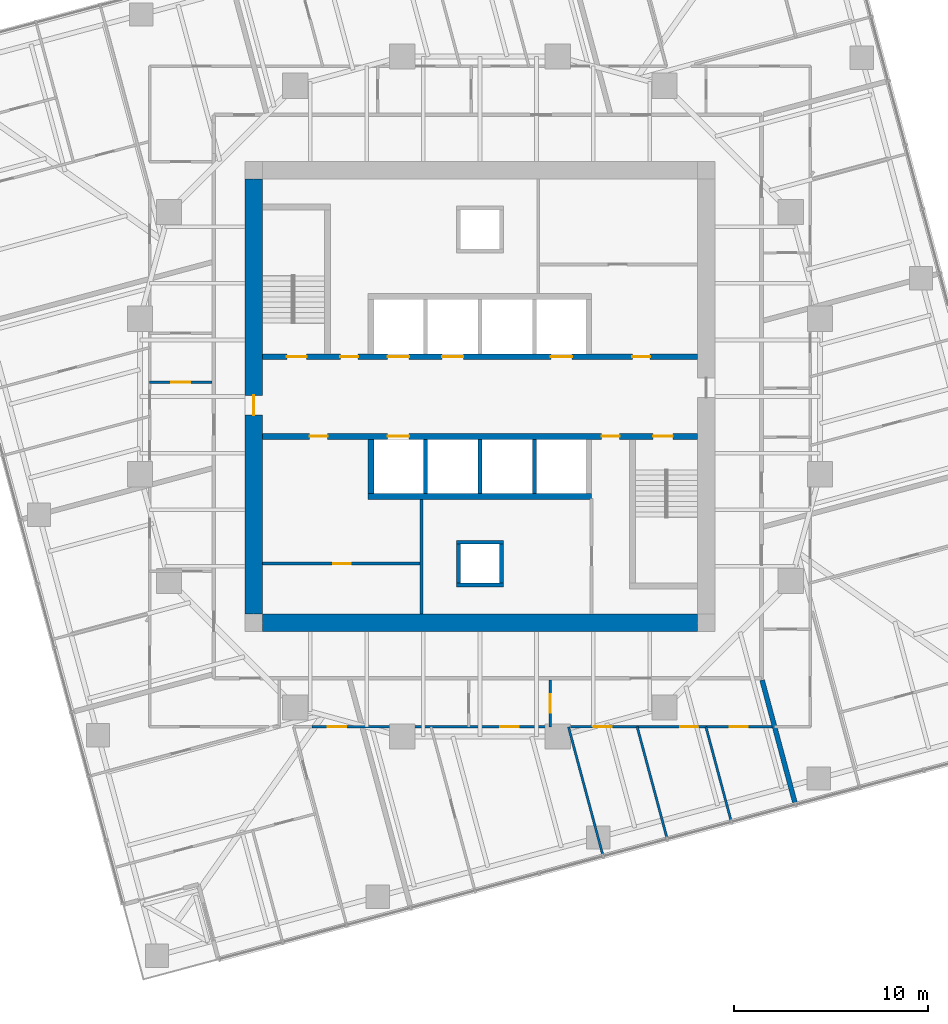
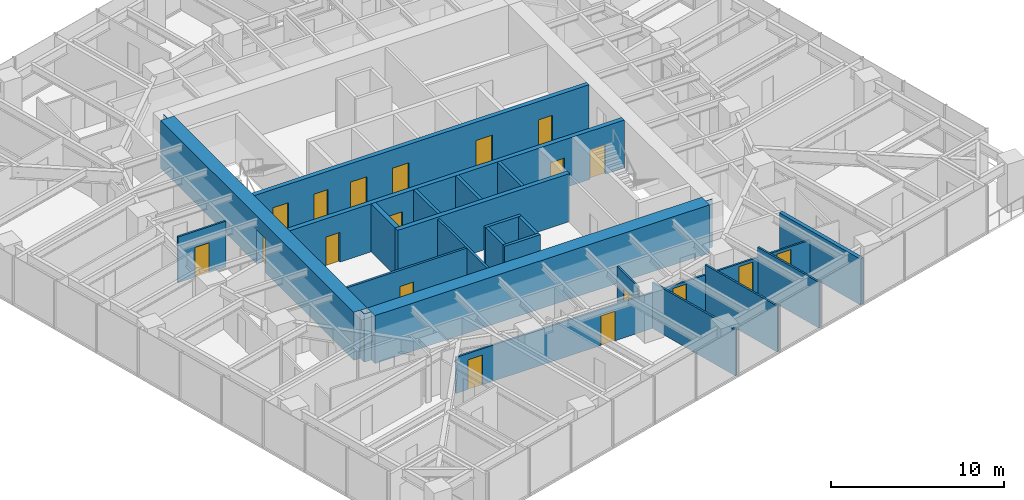
# One storey, part 9 of 13: 22 walls, 19 doors, 19 openings.
"""IFC4 building model written with IfcOpenShell, lengths in metres."""

from ifc_helpers import new_model, si_unit, direction, frame, frame_2d, origin, place, context, subcontext, project, spatial, polyline, rectangle, outline, extrude, material, layer, layer_set, type_object, element, fill, save


model = new_model("IFC4")

# Units and contexts
model_context = context("Model", 3, precision=1e-05, world=origin(), true_north=direction((0.0, 1.0)))
body_context = subcontext(model_context, "Body", "Model", "MODEL_VIEW")
ifc_project = project(units=[si_unit("LENGTHUNIT", "METRE"), si_unit("AREAUNIT", "SQUARE_METRE"), si_unit("VOLUMEUNIT", "CUBIC_METRE"), si_unit("PLANEANGLEUNIT", "RADIAN"), si_unit("MASSUNIT", "GRAM", prefix="KILO")], contexts=[model_context])

# Site, building, storey
site_placement = place(None, origin())
site = spatial("IfcSite", under=ifc_project, at=site_placement, CompositionType="ELEMENT")
building_placement = place(site_placement, origin())
building = spatial("IfcBuilding", under=site, at=building_placement, Name="Torsade Residences", CompositionType="ELEMENT")
storey_placement = place(building_placement, frame((0.0, 0.0, 115.0)))
storey = spatial("IfcBuildingStorey", under=building, at=storey_placement, Name="L31", CompositionType="ELEMENT", Elevation=115.0)

# Wall, openings, doors
ifc_material_1 = material(Name="Concrete 80 MPa", Category="concrete")
ifc_layer_1 = layer(ifc_material_1, 0.300048828125)
ifc_layer_set_1 = layer_set([ifc_layer_1], Name="Concrete 80 MPa")
wall_type_1 = type_object("IfcWallType", Name="CORE INTERNAL WALL 300", PredefinedType="SHEAR", material=ifc_layer_set_1)
wall_1_placement = place(storey_placement, frame((28.800048828125, 32.050048828125, 0.0), z_axis=(0.0, 0.0, 1.0), x_axis=(1.0, 0.0, 0.0)))
wall_1 = element("IfcWall", 1, at=wall_1_placement, inside=storey, type_object=wall_type_1, Name="Core wall LN L31", PredefinedType="SHEAR", context=body_context, shape_type="SweptSolid", body=[
    extrude(rectangle(XDim=22.39990234375, YDim=0.300048828125, at=frame_2d((11.199951171875, 0.0))), origin(), (0.0, 0.0, 1.0), 3.39990234375),
])
opening_1_placement = place(wall_1_placement, frame((19.0400390625, 0.0, 0.0)))
opening_1 = element("IfcOpeningElement", 2, at=opening_1_placement, cuts=wall_1, Name="Opening D06", PredefinedType="OPENING", context=body_context, shape_type="SweptSolid", body=[
    extrude(rectangle(XDim=0.919921875, YDim=2.10009765625, at=frame_2d((0.4599609375, 1.050048828125))), frame((0.0, 0.159912109375, 0.0), z_axis=(0.0, -1.0, 0.0), x_axis=(1.0, 0.0, 0.0)), (0.0, 0.0, 1.0), 0.320068359375),
])
opening_2_placement = place(wall_1_placement, frame((1.264892578125, 0.0, 0.0)))
opening_2 = element("IfcOpeningElement", 3, at=opening_2_placement, cuts=wall_1, Name="Opening D03", PredefinedType="OPENING", context=body_context, shape_type="SweptSolid", body=[
    extrude(rectangle(XDim=1.02001953125, YDim=2.10009765625, at=frame_2d((0.510009765625, 1.050048828125))), frame((0.0, 0.159912109375, 0.0), z_axis=(0.0, -1.0, 0.0), x_axis=(1.0, 0.0, 0.0)), (0.0, 0.0, 1.0), 0.320068359375),
])
opening_3_placement = place(wall_1_placement, frame((4.014892578125, 0.0, 0.0)))
opening_3 = element("IfcOpeningElement", 4, at=opening_3_placement, cuts=wall_1, Name="Opening D06", PredefinedType="OPENING", context=body_context, shape_type="SweptSolid", body=[
    extrude(rectangle(XDim=0.919921875, YDim=2.10009765625, at=frame_2d((0.4599609375, 1.050048828125))), frame((0.0, 0.159912109375, 0.0), z_axis=(0.0, -1.0, 0.0), x_axis=(1.0, 0.0, 0.0)), (0.0, 0.0, 1.0), 0.320068359375),
])
opening_4_placement = place(wall_1_placement, frame((6.449951171875, 0.0, 0.0)))
opening_4 = element("IfcOpeningElement", 5, at=opening_4_placement, cuts=wall_1, Name="Opening LD", PredefinedType="OPENING", context=body_context, shape_type="SweptSolid", body=[
    extrude(rectangle(XDim=1.10009765625, YDim=2.10009765625, at=frame_2d((0.550048828125, 1.050048828125))), frame((0.0, 0.159912109375, 0.0), z_axis=(0.0, -1.0, 0.0), x_axis=(1.0, 0.0, 0.0)), (0.0, 0.0, 1.0), 0.320068359375),
])
opening_5_placement = place(wall_1_placement, frame((9.25, 0.0, 0.0)))
opening_5 = element("IfcOpeningElement", 6, at=opening_5_placement, cuts=wall_1, Name="Opening LD", PredefinedType="OPENING", context=body_context, shape_type="SweptSolid", body=[
    extrude(rectangle(XDim=1.10009765625, YDim=2.10009765625, at=frame_2d((0.550048828125, 1.050048828125))), frame((0.0, 0.159912109375, 0.0), z_axis=(0.0, -1.0, 0.0), x_axis=(1.0, 0.0, 0.0)), (0.0, 0.0, 1.0), 0.320068359375),
])
opening_6_placement = place(wall_1_placement, frame((14.85009765625, 0.0, 0.0)))
opening_6 = element("IfcOpeningElement", 7, at=opening_6_placement, cuts=wall_1, Name="Opening LD", PredefinedType="OPENING", context=body_context, shape_type="SweptSolid", body=[
    extrude(rectangle(XDim=1.10009765625, YDim=2.10009765625, at=frame_2d((0.550048828125, 1.050048828125))), frame((0.0, 0.159912109375, 0.0), z_axis=(0.0, -1.0, 0.0), x_axis=(1.0, 0.0, 0.0)), (0.0, 0.0, 1.0), 0.320068359375),
])
ifc_material_2 = material(Name="Steel-framed fire door", Category="steel")
door_type_1 = type_object("IfcDoorType", Name="FIRE DOOR 1020", OperationType="NOTDEFINED", PredefinedType="DOOR", material=ifc_material_2)
door_1_placement = place(opening_2_placement, origin())
door_1 = element("IfcDoor", 8, at=door_1_placement, inside=storey, type_object=door_type_1, Name="Exit door to fire-isolated stair ST1 L31", OperationType="SINGLE_SWING_RIGHT", OverallHeight=2.10009765625, OverallWidth=1.02001953125, PredefinedType="DOOR", context=body_context, shape_type="SweptSolid", body=[
    extrude(rectangle(XDim=1.02001953125, YDim=2.10009765625, at=frame_2d((0.510009765625, 1.050048828125))), frame((0.0, 0.02490234375, 0.0), z_axis=(0.0, -1.0, 0.0), x_axis=(1.0, 0.0, 0.0)), (0.0, 0.0, 1.0), 0.050048828125),
])
fill(opening_2, door_1)
ifc_material_3 = material(Name="Steel-framed fire door", Category="steel")
door_type_2 = type_object("IfcDoorType", Name="FIRE DOOR 920", OperationType="NOTDEFINED", PredefinedType="DOOR", material=ifc_material_3)
door_2_placement = place(opening_1_placement, origin())
door_2 = element("IfcDoor", 9, at=door_2_placement, inside=storey, type_object=door_type_2, Name="Door Lift lobby to Refuse room", OperationType="SINGLE_SWING_LEFT", OverallHeight=2.10009765625, OverallWidth=0.919921875, PredefinedType="DOOR", context=body_context, shape_type="SweptSolid", body=[
    extrude(rectangle(XDim=0.919921875, YDim=2.10009765625, at=frame_2d((0.4599609375, 1.050048828125))), frame((0.0, 0.02490234375, 0.0), z_axis=(0.0, -1.0, 0.0), x_axis=(1.0, 0.0, 0.0)), (0.0, 0.0, 1.0), 0.050048828125),
])
fill(opening_1, door_2)
door_3_placement = place(opening_3_placement, origin())
door_3 = element("IfcDoor", 10, at=door_3_placement, inside=storey, type_object=door_type_2, Name="Door Lift lobby to Electrical riser room", OperationType="SINGLE_SWING_LEFT", OverallHeight=2.10009765625, OverallWidth=0.919921875, PredefinedType="DOOR", context=body_context, shape_type="SweptSolid", body=[
    extrude(rectangle(XDim=0.919921875, YDim=2.10009765625, at=frame_2d((0.4599609375, 1.050048828125))), frame((0.0, 0.02490234375, 0.0), z_axis=(0.0, -1.0, 0.0), x_axis=(1.0, 0.0, 0.0)), (0.0, 0.0, 1.0), 0.050048828125),
])
fill(opening_3, door_3)
ifc_material_4 = material(Name="Stainless steel lift landing door", Category="steel")
door_type_3 = type_object("IfcDoorType", Name="LIFT LANDING DOOR 1100", OperationType="SLIDING_TO_LEFT", PredefinedType="DOOR", material=ifc_material_4)
door_4_placement = place(opening_4_placement, origin())
door_4 = element("IfcDoor", 11, at=door_4_placement, inside=storey, type_object=door_type_3, Name="Lift LA1 landing door L31", OperationType="SLIDING_TO_LEFT", OverallHeight=2.10009765625, OverallWidth=1.10009765625, PredefinedType="DOOR", context=body_context, shape_type="SweptSolid", body=[
    extrude(rectangle(XDim=1.10009765625, YDim=2.10009765625, at=frame_2d((0.550048828125, 1.050048828125))), frame((0.0, 0.02490234375, 0.0), z_axis=(0.0, -1.0, 0.0), x_axis=(1.0, 0.0, 0.0)), (0.0, 0.0, 1.0), 0.050048828125),
])
fill(opening_4, door_4)
door_5_placement = place(opening_5_placement, origin())
door_5 = element("IfcDoor", 12, at=door_5_placement, inside=storey, type_object=door_type_3, Name="Lift LA2 landing door L31", OperationType="SLIDING_TO_LEFT", OverallHeight=2.10009765625, OverallWidth=1.10009765625, PredefinedType="DOOR", context=body_context, shape_type="SweptSolid", body=[
    extrude(rectangle(XDim=1.10009765625, YDim=2.10009765625, at=frame_2d((0.550048828125, 1.050048828125))), frame((0.0, 0.02490234375, 0.0), z_axis=(0.0, -1.0, 0.0), x_axis=(1.0, 0.0, 0.0)), (0.0, 0.0, 1.0), 0.050048828125),
])
fill(opening_5, door_5)
door_6_placement = place(opening_6_placement, origin())
door_6 = element("IfcDoor", 13, at=door_6_placement, inside=storey, type_object=door_type_3, Name="Lift FL1 landing door L31", OperationType="SLIDING_TO_LEFT", OverallHeight=2.10009765625, OverallWidth=1.10009765625, PredefinedType="DOOR", context=body_context, shape_type="SweptSolid", body=[
    extrude(rectangle(XDim=1.10009765625, YDim=2.10009765625, at=frame_2d((0.550048828125, 1.050048828125))), frame((0.0, 0.02490234375, 0.0), z_axis=(0.0, -1.0, 0.0), x_axis=(1.0, 0.0, 0.0)), (0.0, 0.0, 1.0), 0.050048828125),
])
fill(opening_6, door_6)

wall_2_placement = place(storey_placement, frame((51.199951171875, 27.949951171875, 0.0), z_axis=(0.0, 0.0, 1.0), x_axis=(-1.0, 0.0, 0.0)))
wall_2 = element("IfcWall", 14, at=wall_2_placement, inside=storey, type_object=wall_type_1, Name="Core wall LS L31", PredefinedType="SHEAR", context=body_context, shape_type="SweptSolid", body=[
    extrude(rectangle(XDim=22.39990234375, YDim=0.300048828125, at=frame_2d((11.199951171875, 0.0))), origin(), (0.0, 0.0, 1.0), 3.39990234375),
])
opening_7_placement = place(wall_2_placement, frame((19.0400390625, 0.0, 0.0)))
opening_7 = element("IfcOpeningElement", 15, at=opening_7_placement, cuts=wall_2, Name="Opening D06", PredefinedType="OPENING", context=body_context, shape_type="SweptSolid", body=[
    extrude(rectangle(XDim=0.919921875, YDim=2.10009765625, at=frame_2d((0.4599609375, 1.050048828125))), frame((0.0, 0.159912109375, 0.0), z_axis=(0.0, -1.0, 0.0), x_axis=(1.0, 0.0, 0.0)), (0.0, 0.0, 1.0), 0.320068359375),
])
opening_8_placement = place(wall_2_placement, frame((1.264892578125, 0.0, 0.0)))
opening_8 = element("IfcOpeningElement", 16, at=opening_8_placement, cuts=wall_2, Name="Opening D03", PredefinedType="OPENING", context=body_context, shape_type="SweptSolid", body=[
    extrude(rectangle(XDim=1.02001953125, YDim=2.10009765625, at=frame_2d((0.510009765625, 1.050048828125))), frame((0.0, 0.159912109375, 0.0), z_axis=(0.0, -1.0, 0.0), x_axis=(1.0, 0.0, 0.0)), (0.0, 0.0, 1.0), 0.320068359375),
])
opening_9_placement = place(wall_2_placement, frame((4.014892578125, 0.0, 0.0)))
opening_9 = element("IfcOpeningElement", 17, at=opening_9_placement, cuts=wall_2, Name="Opening D06", PredefinedType="OPENING", context=body_context, shape_type="SweptSolid", body=[
    extrude(rectangle(XDim=0.919921875, YDim=2.10009765625, at=frame_2d((0.4599609375, 1.050048828125))), frame((0.0, 0.159912109375, 0.0), z_axis=(0.0, -1.0, 0.0), x_axis=(1.0, 0.0, 0.0)), (0.0, 0.0, 1.0), 0.320068359375),
])
opening_10_placement = place(wall_2_placement, frame((14.85009765625, 0.0, 0.0)))
opening_10 = element("IfcOpeningElement", 18, at=opening_10_placement, cuts=wall_2, Name="Opening LD", PredefinedType="OPENING", context=body_context, shape_type="SweptSolid", body=[
    extrude(rectangle(XDim=1.10009765625, YDim=2.10009765625, at=frame_2d((0.550048828125, 1.050048828125))), frame((0.0, 0.159912109375, 0.0), z_axis=(0.0, -1.0, 0.0), x_axis=(1.0, 0.0, 0.0)), (0.0, 0.0, 1.0), 0.320068359375),
])
door_7_placement = place(opening_8_placement, origin())
door_7 = element("IfcDoor", 19, at=door_7_placement, inside=storey, type_object=door_type_1, Name="Exit door to fire-isolated stair ST2 L31", OperationType="SINGLE_SWING_RIGHT", OverallHeight=2.10009765625, OverallWidth=1.02001953125, PredefinedType="DOOR", context=body_context, shape_type="SweptSolid", body=[
    extrude(rectangle(XDim=1.02001953125, YDim=2.10009765625, at=frame_2d((0.510009765625, 1.050048828125))), frame((0.0, 0.02490234375, 0.0), z_axis=(0.0, -1.0, 0.0), x_axis=(1.0, 0.0, 0.0)), (0.0, 0.0, 1.0), 0.050048828125),
])
fill(opening_8, door_7)
door_8_placement = place(opening_7_placement, origin())
door_8 = element("IfcDoor", 20, at=door_8_placement, inside=storey, type_object=door_type_2, Name="Door Lift lobby to Cleaner store", OperationType="SINGLE_SWING_LEFT", OverallHeight=2.10009765625, OverallWidth=0.919921875, PredefinedType="DOOR", context=body_context, shape_type="SweptSolid", body=[
    extrude(rectangle(XDim=0.919921875, YDim=2.10009765625, at=frame_2d((0.4599609375, 1.050048828125))), frame((0.0, 0.02490234375, 0.0), z_axis=(0.0, -1.0, 0.0), x_axis=(1.0, 0.0, 0.0)), (0.0, 0.0, 1.0), 0.050048828125),
])
fill(opening_7, door_8)
door_9_placement = place(opening_9_placement, origin())
door_9 = element("IfcDoor", 21, at=door_9_placement, inside=storey, type_object=door_type_2, Name="Door Lift lobby to Security and data store", OperationType="SINGLE_SWING_RIGHT", OverallHeight=2.10009765625, OverallWidth=0.919921875, PredefinedType="DOOR", context=body_context, shape_type="SweptSolid", body=[
    extrude(rectangle(XDim=0.919921875, YDim=2.10009765625, at=frame_2d((0.4599609375, 1.050048828125))), frame((0.0, 0.02490234375, 0.0), z_axis=(0.0, -1.0, 0.0), x_axis=(1.0, 0.0, 0.0)), (0.0, 0.0, 1.0), 0.050048828125),
])
fill(opening_9, door_9)
door_10_placement = place(opening_10_placement, origin())
door_10 = element("IfcDoor", 22, at=door_10_placement, inside=storey, type_object=door_type_3, Name="Lift FL2 landing door L31", OperationType="SLIDING_TO_LEFT", OverallHeight=2.10009765625, OverallWidth=1.10009765625, PredefinedType="DOOR", context=body_context, shape_type="SweptSolid", body=[
    extrude(rectangle(XDim=1.10009765625, YDim=2.10009765625, at=frame_2d((0.550048828125, 1.050048828125))), frame((0.0, 0.02490234375, 0.0), z_axis=(0.0, -1.0, 0.0), x_axis=(1.0, 0.0, 0.0)), (0.0, 0.0, 1.0), 0.050048828125),
])
fill(opening_10, door_10)

# Walls
wall_3_placement = place(storey_placement, frame((45.75, 24.85009765625, 0.0), z_axis=(0.0, 0.0, 1.0), x_axis=(-1.0, 0.0, 0.0)))
element("IfcWall", 23, at=wall_3_placement, inside=storey, type_object=wall_type_1, Name="Core wall BS L31", PredefinedType="SHEAR", context=body_context, shape_type="SweptSolid", body=[
    extrude(rectangle(XDim=11.5, YDim=0.300048828125, at=frame_2d((5.75, 0.0))), origin(), (0.0, 0.0, 1.0), 3.39990234375),
])
wall_4_placement = place(storey_placement, frame((34.39990234375, 27.800048828125, 0.0), z_axis=(0.0, 0.0, 1.0), x_axis=(0.0, -1.0, 0.0)))
element("IfcWall", 24, at=wall_4_placement, inside=storey, type_object=wall_type_1, Name="Core wall DS4 L31", PredefinedType="SHEAR", context=body_context, shape_type="SweptSolid", body=[
    extrude(rectangle(XDim=2.800048828125, YDim=0.300048828125, at=frame_2d((1.39990234375, 0.0))), origin(), (0.0, 0.0, 1.0), 3.39990234375),
])
ifc_material_5 = material(Name="Concrete 80 MPa", Category="concrete")
ifc_layer_2 = layer(ifc_material_5, 0.89990234375)
ifc_layer_set_2 = layer_set([ifc_layer_2], Name="Concrete 80 MPa")
wall_type_2 = type_object("IfcWallType", Name="CORE WALL 900", PredefinedType="SHEAR", material=ifc_layer_set_2)
wall_5_placement = place(storey_placement, frame((51.199951171875, 18.35009765625, 0.0), z_axis=(0.0, 0.0, 1.0), x_axis=(-1.0, 0.0, 0.0)))
element("IfcWall", 25, at=wall_5_placement, inside=storey, type_object=wall_type_2, Name="Core wall S L31", PredefinedType="SHEAR", context=body_context, shape_type="SweptSolid", body=[
    extrude(outline(polyline([(0.0, -0.449951171875), (22.39990234375, -0.449951171875), (22.39990234375, -0.02490234375), (22.849853515625, -0.02490234375), (22.849853515625, 0.02490234375), (22.39990234375, 0.02490234375), (22.39990234375, 0.449951171875), (0.0, 0.449951171875), (0.0, 0.02490234375), (-0.449951171875, 0.02490234375), (-0.449951171875, -0.02490234375), (0.0, -0.02490234375), (0.0, -0.449951171875)])), origin(), (0.0, 0.0, 1.0), 3.39990234375),
])

# Wall, opening, door
wall_6_placement = place(storey_placement, frame((28.35009765625, 41.199951171875, 0.0), z_axis=(0.0, 0.0, 1.0), x_axis=(0.0, -1.0, 0.0)))
wall_6 = element("IfcWall", 26, at=wall_6_placement, inside=storey, type_object=wall_type_2, Name="Core wall W L31", PredefinedType="SHEAR", context=body_context, shape_type="SweptSolid", body=[
    extrude(outline(polyline([(0.0, -0.449951171875), (22.39990234375, -0.449951171875), (22.39990234375, -0.02490234375), (22.849853515625, -0.02490234375), (22.849853515625, 0.02490234375), (22.39990234375, 0.02490234375), (22.39990234375, 0.449951171875), (0.0, 0.449951171875), (0.0, 0.02490234375), (-0.449951171875, 0.02490234375), (-0.449951171875, -0.02490234375), (0.0, -0.02490234375), (0.0, -0.449951171875)])), origin(), (0.0, 0.0, 1.0), 3.39990234375),
])
opening_11_placement = place(wall_6_placement, frame((11.139892578125, 0.0, 0.0)))
opening_11 = element("IfcOpeningElement", 27, at=opening_11_placement, cuts=wall_6, Name="Opening D04", PredefinedType="OPENING", context=body_context, shape_type="SweptSolid", body=[
    extrude(rectangle(XDim=1.02001953125, YDim=2.39990234375, at=frame_2d((0.510009765625, 1.199951171875))), frame((0.0, 0.4599609375, 0.0), z_axis=(0.0, -1.0, 0.0), x_axis=(1.0, 0.0, 0.0)), (0.0, 0.0, 1.0), 0.919921875),
])
ifc_material_6 = material(Name="Steel-framed fire door", Category="steel")
door_type_4 = type_object("IfcDoorType", Name="LOBBY SMOKE DOOR 1020x2400", OperationType="NOTDEFINED", PredefinedType="DOOR", material=ifc_material_6)
door_11_placement = place(opening_11_placement, origin())
door_11 = element("IfcDoor", 28, at=door_11_placement, inside=storey, type_object=door_type_4, Name="Lift lobby door W L31", OperationType="SINGLE_SWING_RIGHT", OverallHeight=2.39990234375, OverallWidth=1.02001953125, PredefinedType="DOOR", context=body_context, shape_type="SweptSolid", body=[
    extrude(rectangle(XDim=1.02001953125, YDim=2.39990234375, at=frame_2d((0.510009765625, 1.199951171875))), frame((0.0, 0.02490234375, 0.0), z_axis=(0.0, -1.0, 0.0), x_axis=(1.0, 0.0, 0.0)), (0.0, 0.0, 1.0), 0.050048828125),
])
fill(opening_11, door_11)

# Walls
ifc_material_7 = material(Name="Reinforced blockwork", Category="masonry")
ifc_layer_3 = layer(ifc_material_7, 0.199951171875)
ifc_layer_set_3 = layer_set([ifc_layer_3], Name="Reinforced blockwork")
wall_type_3 = type_object("IfcWallType", Name="LIFT SHAFT DIVIDING WALL 200", PredefinedType="SOLIDWALL", material=ifc_layer_set_3)
for number, where, z_axis, x_axis, name in (
    (29, (42.800048828125, 27.800048828125, 0.0), (0.0, 0.0, 1.0), (0.0, -1.0, 0.0), "Core wall DS1 L31"),
    (30, (40.0, 27.800048828125, 0.0), (0.0, 0.0, 1.0), (0.0, -1.0, 0.0), "Core wall DS2 L31"),
    (31, (37.199951171875, 27.800048828125, 0.0), (0.0, 0.0, 1.0), (0.0, -1.0, 0.0), "Core wall DS3 L31"),
):
    element("IfcWall", number, at=place(storey_placement, frame(where, z_axis=z_axis, x_axis=x_axis)), inside=storey, type_object=wall_type_3, Name=name, PredefinedType="SOLIDWALL", context=body_context, shape_type="SweptSolid", body=[
        extrude(rectangle(XDim=2.800048828125, YDim=0.199951171875, at=frame_2d((1.39990234375, 0.0))), origin(), (0.0, 0.0, 1.0), 3.39990234375),
    ])

# Wall, openings, doors
ifc_material_8 = material(Name="Plasterboard on steel stud", Category="steel")
ifc_layer_4 = layer(ifc_material_8, 0.1201171875)
ifc_layer_set_4 = layer_set([ifc_layer_4], Name="Plasterboard on steel stud")
wall_type_4 = type_object("IfcWallType", Name="PARTITION 120", PredefinedType="PARTITIONING", material=ifc_layer_set_4)
wall_7_placement = place(storey_placement, frame((55.046142578125, 13.0, 0.0), z_axis=(0.0, 0.0, 1.0), x_axis=(-1.0, 0.0, 0.0)))
wall_7 = element("IfcWall", 32, at=wall_7_placement, inside=storey, type_object=wall_type_4, Name="Partition L31", PredefinedType="PARTITIONING", context=body_context, shape_type="SweptSolid", body=[
    extrude(rectangle(XDim=23.692626953125, YDim=0.1201171875, at=frame_2d((11.84619140625, 0.0))), origin(), (0.0, 0.0, 1.0), 2.550048828125),
])
opening_12_placement = place(wall_7_placement, frame((8.262451171875, 0.0, 0.0)))
opening_12 = element("IfcOpeningElement", 33, at=opening_12_placement, cuts=wall_7, Name="Opening D02", PredefinedType="OPENING", context=body_context, shape_type="SweptSolid", body=[
    extrude(rectangle(XDim=0.919921875, YDim=2.340087890625, at=frame_2d((0.4599609375, 1.169921875))), frame((0.0, 0.070068359375, 0.0), z_axis=(0.0, -1.0, 0.0), x_axis=(1.0, 0.0, 0.0)), (0.0, 0.0, 1.0), 0.14013671875),
])
opening_13_placement = place(wall_7_placement, frame((3.8251953125, 0.0, 0.0)))
opening_13 = element("IfcOpeningElement", 34, at=opening_13_placement, cuts=wall_7, Name="Opening D02", PredefinedType="OPENING", context=body_context, shape_type="SweptSolid", body=[
    extrude(rectangle(XDim=0.919921875, YDim=2.340087890625, at=frame_2d((0.4599609375, 1.169921875))), frame((0.0, 0.070068359375, 0.0), z_axis=(0.0, -1.0, 0.0), x_axis=(1.0, 0.0, 0.0)), (0.0, 0.0, 1.0), 0.14013671875),
])
opening_14_placement = place(wall_7_placement, frame((1.274169921875, 0.0, 0.0)))
opening_14 = element("IfcOpeningElement", 35, at=opening_14_placement, cuts=wall_7, Name="Opening D02", PredefinedType="OPENING", context=body_context, shape_type="SweptSolid", body=[
    extrude(rectangle(XDim=0.919921875, YDim=2.340087890625, at=frame_2d((0.4599609375, 1.169921875))), frame((0.0, 0.070068359375, 0.0), z_axis=(0.0, -1.0, 0.0), x_axis=(1.0, 0.0, 0.0)), (0.0, 0.0, 1.0), 0.14013671875),
])
opening_15_placement = place(wall_7_placement, frame((13.041259765625, 0.0, 0.0)))
opening_15 = element("IfcOpeningElement", 36, at=opening_15_placement, cuts=wall_7, Name="Opening D05", PredefinedType="OPENING", context=body_context, shape_type="SweptSolid", body=[
    extrude(rectangle(XDim=0.9599609375, YDim=2.10009765625, at=frame_2d((0.47998046875, 1.050048828125))), frame((0.0, 0.070068359375, 0.0), z_axis=(0.0, -1.0, 0.0), x_axis=(1.0, 0.0, 0.0)), (0.0, 0.0, 1.0), 0.14013671875),
])
opening_16_placement = place(wall_7_placement, frame((21.91748046875, 0.0, 0.0)))
opening_16 = element("IfcOpeningElement", 37, at=opening_16_placement, cuts=wall_7, Name="Opening D05", PredefinedType="OPENING", context=body_context, shape_type="SweptSolid", body=[
    extrude(rectangle(XDim=0.9599609375, YDim=2.10009765625, at=frame_2d((0.47998046875, 1.050048828125))), frame((0.0, 0.070068359375, 0.0), z_axis=(0.0, -1.0, 0.0), x_axis=(1.0, 0.0, 0.0)), (0.0, 0.0, 1.0), 0.14013671875),
])
ifc_material_9 = material(Name="Hollow-core timber door in a steel cavity frame", Category="steel")
door_type_5 = type_object("IfcDoorType", Name="BATHROOM CAVITY SLIDING DOOR 960", OperationType="SLIDING_TO_LEFT", PredefinedType="DOOR", material=ifc_material_9)
door_12_placement = place(opening_15_placement, origin())
door_12 = element("IfcDoor", 38, at=door_12_placement, inside=storey, type_object=door_type_5, Name="Door Ensuite to Living room", OperationType="SLIDING_TO_LEFT", OverallHeight=2.10009765625, OverallWidth=0.9599609375, PredefinedType="DOOR", context=body_context, shape_type="SweptSolid", body=[
    extrude(rectangle(XDim=0.9599609375, YDim=2.10009765625, at=frame_2d((0.47998046875, 1.050048828125))), frame((0.0, 0.02490234375, 0.0), z_axis=(0.0, -1.0, 0.0), x_axis=(1.0, 0.0, 0.0)), (0.0, 0.0, 1.0), 0.050048828125),
])
fill(opening_15, door_12)
door_13_placement = place(opening_16_placement, origin())
door_13 = element("IfcDoor", 39, at=door_13_placement, inside=storey, type_object=door_type_5, Name="Door Bedroom 1 to Ensuite", OperationType="SLIDING_TO_LEFT", OverallHeight=2.10009765625, OverallWidth=0.9599609375, PredefinedType="DOOR", context=body_context, shape_type="SweptSolid", body=[
    extrude(rectangle(XDim=0.9599609375, YDim=2.10009765625, at=frame_2d((0.47998046875, 1.050048828125))), frame((0.0, 0.02490234375, 0.0), z_axis=(0.0, -1.0, 0.0), x_axis=(1.0, 0.0, 0.0)), (0.0, 0.0, 1.0), 0.050048828125),
])
fill(opening_16, door_13)
ifc_material_10 = material(Name="Hollow-core timber door", Category="wood")
door_type_6 = type_object("IfcDoorType", Name="INTERNAL DOOR 920x2340", OperationType="NOTDEFINED", PredefinedType="DOOR", material=ifc_material_10)
door_14_placement = place(opening_12_placement, origin())
door_14 = element("IfcDoor", 40, at=door_14_placement, inside=storey, type_object=door_type_6, Name="Door Kitchen and dining to Bedroom 2", OperationType="SINGLE_SWING_RIGHT", OverallHeight=2.340087890625, OverallWidth=0.919921875, PredefinedType="DOOR", context=body_context, shape_type="SweptSolid", body=[
    extrude(rectangle(XDim=0.919921875, YDim=2.340087890625, at=frame_2d((0.4599609375, 1.169921875))), frame((0.0, 0.02490234375, 0.0), z_axis=(0.0, -1.0, 0.0), x_axis=(1.0, 0.0, 0.0)), (0.0, 0.0, 1.0), 0.050048828125),
])
fill(opening_12, door_14)
door_15_placement = place(opening_13_placement, origin())
door_15 = element("IfcDoor", 41, at=door_15_placement, inside=storey, type_object=door_type_6, Name="Door Kitchen and dining to Bedroom 3", OperationType="SINGLE_SWING_LEFT", OverallHeight=2.340087890625, OverallWidth=0.919921875, PredefinedType="DOOR", context=body_context, shape_type="SweptSolid", body=[
    extrude(rectangle(XDim=0.919921875, YDim=2.340087890625, at=frame_2d((0.4599609375, 1.169921875))), frame((0.0, 0.02490234375, 0.0), z_axis=(0.0, -1.0, 0.0), x_axis=(1.0, 0.0, 0.0)), (0.0, 0.0, 1.0), 0.050048828125),
])
fill(opening_13, door_15)
door_16_placement = place(opening_14_placement, origin())
door_16 = element("IfcDoor", 42, at=door_16_placement, inside=storey, type_object=door_type_6, Name="Door Kitchen and dining to Study", OperationType="SINGLE_SWING_RIGHT", OverallHeight=2.340087890625, OverallWidth=0.919921875, PredefinedType="DOOR", context=body_context, shape_type="SweptSolid", body=[
    extrude(rectangle(XDim=0.919921875, YDim=2.340087890625, at=frame_2d((0.4599609375, 1.169921875))), frame((0.0, 0.02490234375, 0.0), z_axis=(0.0, -1.0, 0.0), x_axis=(1.0, 0.0, 0.0)), (0.0, 0.0, 1.0), 0.050048828125),
])
fill(opening_14, door_16)

# Wall, opening, door
wall_8_placement = place(storey_placement, frame((43.617919921875, 13.0, 0.0), z_axis=(0.0, 0.0, 1.0), x_axis=(0.0, 1.0, 0.0)))
wall_8 = element("IfcWall", 43, at=wall_8_placement, inside=storey, type_object=wall_type_4, Name="Partition L31", PredefinedType="PARTITIONING", context=body_context, shape_type="SweptSolid", body=[
    extrude(rectangle(XDim=2.39990234375, YDim=0.1201171875, at=frame_2d((1.199951171875, 0.0))), origin(), (0.0, 0.0, 1.0), 3.25),
])
opening_17_placement = place(wall_8_placement, frame((0.719970703125, 0.0, 0.0)))
opening_17 = element("IfcOpeningElement", 44, at=opening_17_placement, cuts=wall_8, Name="Opening D05", PredefinedType="OPENING", context=body_context, shape_type="SweptSolid", body=[
    extrude(rectangle(XDim=0.9599609375, YDim=2.10009765625, at=frame_2d((0.47998046875, 1.050048828125))), frame((0.0, 0.070068359375, 0.0), z_axis=(0.0, -1.0, 0.0), x_axis=(1.0, 0.0, 0.0)), (0.0, 0.0, 1.0), 0.14013671875),
])
door_17_placement = place(opening_17_placement, origin())
door_17 = element("IfcDoor", 45, at=door_17_placement, inside=storey, type_object=door_type_5, Name="Door Kitchen and dining to Ensuite", OperationType="SLIDING_TO_LEFT", OverallHeight=2.10009765625, OverallWidth=0.9599609375, PredefinedType="DOOR", context=body_context, shape_type="SweptSolid", body=[
    extrude(rectangle(XDim=0.9599609375, YDim=2.10009765625, at=frame_2d((0.47998046875, 1.050048828125))), frame((0.0, 0.02490234375, 0.0), z_axis=(0.0, -1.0, 0.0), x_axis=(1.0, 0.0, 0.0)), (0.0, 0.0, 1.0), 0.050048828125),
])
fill(opening_17, door_17)

# Walls
wall_9_placement = place(storey_placement, frame((44.55517578125, 13.0, 0.0), z_axis=(0.0, 0.0, 1.0), x_axis=(0.258829770556, -0.965922952349, 0.0)))
element("IfcWall", 46, at=wall_9_placement, inside=storey, type_object=wall_type_4, Name="Partition L31", PredefinedType="PARTITIONING", context=body_context, shape_type="SweptSolid", body=[
    extrude(rectangle(XDim=6.8603515625, YDim=0.1201171875, at=frame_2d((3.43017578125, 0.0))), origin(), (0.0, 0.0, 1.0), 3.25),
])
wall_10_placement = place(storey_placement, frame((48.09228515625, 13.0, 0.0), z_axis=(0.0, 0.0, 1.0), x_axis=(0.258812722515, -0.965927520399, 0.0)))
element("IfcWall", 47, at=wall_10_placement, inside=storey, type_object=wall_type_4, Name="Partition L31", PredefinedType="PARTITIONING", context=body_context, shape_type="SweptSolid", body=[
    extrude(rectangle(XDim=5.94482421875, YDim=0.1201171875, at=frame_2d((2.972412109375, 0.0))), origin(), (0.0, 0.0, 1.0), 3.25),
])
wall_11_placement = place(storey_placement, frame((51.629638671875, 13.0, 0.0), z_axis=(0.0, 0.0, 1.0), x_axis=(0.258789467631, -0.965933751063, 0.0)))
element("IfcWall", 48, at=wall_11_placement, inside=storey, type_object=wall_type_4, Name="Partition L31", PredefinedType="PARTITIONING", context=body_context, shape_type="SweptSolid", body=[
    extrude(rectangle(XDim=5.029296875, YDim=0.1201171875, at=frame_2d((2.5146484375, 0.0))), origin(), (0.0, 0.0, 1.0), 3.25),
])

# Wall, opening, door
wall_12_placement = place(storey_placement, frame((23.0, 30.737060546875, 0.0), z_axis=(0.0, 0.0, 1.0), x_axis=(1.0, 0.0, 0.0)))
wall_12 = element("IfcWall", 49, at=wall_12_placement, inside=storey, type_object=wall_type_4, Name="Partition L31", PredefinedType="PARTITIONING", context=body_context, shape_type="SweptSolid", body=[
    extrude(rectangle(XDim=3.199951171875, YDim=0.1201171875, at=frame_2d((1.60009765625, 0.0))), origin(), (0.0, 0.0, 1.0), 3.25),
])
opening_18_placement = place(wall_12_placement, frame((1.1201171875, 0.0, 0.0)))
opening_18 = element("IfcOpeningElement", 50, at=opening_18_placement, cuts=wall_12, Name="Opening D05", PredefinedType="OPENING", context=body_context, shape_type="SweptSolid", body=[
    extrude(rectangle(XDim=0.9599609375, YDim=2.10009765625, at=frame_2d((0.47998046875, 1.050048828125))), frame((0.0, 0.070068359375, 0.0), z_axis=(0.0, -1.0, 0.0), x_axis=(1.0, 0.0, 0.0)), (0.0, 0.0, 1.0), 0.14013671875),
])
door_18_placement = place(opening_18_placement, origin())
door_18 = element("IfcDoor", 51, at=door_18_placement, inside=storey, type_object=door_type_5, Name="Door Kitchen and dining to Ensuite", OperationType="SLIDING_TO_LEFT", OverallHeight=2.10009765625, OverallWidth=0.9599609375, PredefinedType="DOOR", context=body_context, shape_type="SweptSolid", body=[
    extrude(rectangle(XDim=0.9599609375, YDim=2.10009765625, at=frame_2d((0.47998046875, 1.050048828125))), frame((0.0, 0.02490234375, 0.0), z_axis=(0.0, -1.0, 0.0), x_axis=(1.0, 0.0, 0.0)), (0.0, 0.0, 1.0), 0.050048828125),
])
fill(opening_18, door_18)

# Walls
ifc_material_11 = material(Name="Masonry-lined stud party wall", Category="masonry")
ifc_layer_5 = layer(ifc_material_11, 0.25)
ifc_layer_set_5 = layer_set([ifc_layer_5], Name="Masonry-lined stud party wall")
wall_type_5 = type_object("IfcWallType", Name="PARTY WALL 250", PredefinedType="PARTITIONING", material=ifc_layer_set_5)
wall_13_placement = place(storey_placement, frame((56.24169921875, 8.98779296875, 0.0), z_axis=(0.0, 0.0, 1.0), x_axis=(-0.25880587229, 0.965929355837, 0.0)))
element("IfcWall", 52, at=wall_13_placement, inside=storey, type_object=wall_type_5, Name="Party wall L31", PredefinedType="PARTITIONING", context=body_context, shape_type="SweptSolid", body=[
    extrude(rectangle(XDim=6.644775390625, YDim=0.25, at=frame_2d((3.322265625, 0.0))), origin(), (0.0, 0.0, 1.0), 3.25),
])
ifc_material_12 = material(Name="Reinforced blockwork", Category="masonry")
ifc_layer_6 = layer(ifc_material_12, 0.199951171875)
ifc_layer_set_6 = layer_set([ifc_layer_6], Name="Reinforced blockwork")
wall_type_6 = type_object("IfcWallType", Name="RISER SHAFT WALL 200", PredefinedType="SOLIDWALL", material=ifc_layer_set_6)
for number, where, z_axis, x_axis, name in (
    (53, (38.89990234375, 22.39990234375, 0.0), (0.0, 0.0, 1.0), (0.0, -1.0, 0.0), "Core wall RS2a L31"),
    (54, (41.10009765625, 22.39990234375, 0.0), (0.0, 0.0, 1.0), (0.0, -1.0, 0.0), "Core wall RS2b L31"),
):
    element("IfcWall", number, at=place(storey_placement, frame(where, z_axis=z_axis, x_axis=x_axis)), inside=storey, type_object=wall_type_6, Name=name, PredefinedType="SOLIDWALL", context=body_context, shape_type="SweptSolid", body=[
        extrude(rectangle(XDim=2.0, YDim=0.199951171875, at=frame_2d((1.0, 0.0))), origin(), (0.0, 0.0, 1.0), 3.39990234375),
    ])
for number, where, z_axis, x_axis, name in (
    (55, (38.800048828125, 22.5, 0.0), (0.0, 0.0, 1.0), (1.0, 0.0, 0.0), "Core wall RS2c L31"),
    (56, (38.800048828125, 20.300048828125, 0.0), (0.0, 0.0, 1.0), (1.0, 0.0, 0.0), "Core wall RS2d L31"),
):
    element("IfcWall", number, at=place(storey_placement, frame(where, z_axis=z_axis, x_axis=x_axis)), inside=storey, type_object=wall_type_6, Name=name, PredefinedType="SOLIDWALL", context=body_context, shape_type="SweptSolid", body=[
        extrude(rectangle(XDim=2.39990234375, YDim=0.199951171875, at=frame_2d((1.199951171875, 0.0))), origin(), (0.0, 0.0, 1.0), 3.39990234375),
    ])
ifc_material_13 = material(Name="Reinforced blockwork", Category="masonry")
ifc_layer_7 = layer(ifc_material_13, 0.14990234375)
ifc_layer_set_7 = layer_set([ifc_layer_7], Name="Reinforced blockwork")
wall_type_7 = type_object("IfcWallType", Name="SERVICE ROOM WALL 150", PredefinedType="SOLIDWALL", material=ifc_layer_set_7)
wall_14_placement = place(storey_placement, frame((37.0, 18.800048828125, 0.0), z_axis=(0.0, 0.0, 1.0), x_axis=(0.0, 1.0, 0.0)))
element("IfcWall", 57, at=wall_14_placement, inside=storey, type_object=wall_type_7, Name="Service room wall L31", PredefinedType="SOLIDWALL", context=body_context, shape_type="SweptSolid", body=[
    extrude(rectangle(XDim=5.89990234375, YDim=0.14990234375, at=frame_2d((2.949951171875, 0.0))), origin(), (0.0, 0.0, 1.0), 3.25),
])

# Wall, opening, door
wall_15_placement = place(storey_placement, frame((37.0, 21.39990234375, 0.0), z_axis=(0.0, 0.0, 1.0), x_axis=(-1.0, 0.0, 0.0)))
wall_15 = element("IfcWall", 58, at=wall_15_placement, inside=storey, type_object=wall_type_7, Name="Service room wall L31", PredefinedType="SOLIDWALL", context=body_context, shape_type="SweptSolid", body=[
    extrude(rectangle(XDim=8.199951171875, YDim=0.14990234375, at=frame_2d((4.10009765625, 0.0))), origin(), (0.0, 0.0, 1.0), 3.25),
])
opening_19_placement = place(wall_15_placement, frame((3.639892578125, 0.0, 0.0)))
opening_19 = element("IfcOpeningElement", 59, at=opening_19_placement, cuts=wall_15, Name="Opening D06", PredefinedType="OPENING", context=body_context, shape_type="SweptSolid", body=[
    extrude(rectangle(XDim=0.919921875, YDim=2.10009765625, at=frame_2d((0.4599609375, 1.050048828125))), frame((0.0, 0.0849609375, 0.0), z_axis=(0.0, -1.0, 0.0), x_axis=(1.0, 0.0, 0.0)), (0.0, 0.0, 1.0), 0.169921875),
])
door_19_placement = place(opening_19_placement, origin())
door_19 = element("IfcDoor", 60, at=door_19_placement, inside=storey, type_object=door_type_2, Name="Door Cleaner store to Hose reel and hydrant store", OperationType="SINGLE_SWING_RIGHT", OverallHeight=2.10009765625, OverallWidth=0.919921875, PredefinedType="DOOR", context=body_context, shape_type="SweptSolid", body=[
    extrude(rectangle(XDim=0.919921875, YDim=2.10009765625, at=frame_2d((0.4599609375, 1.050048828125))), frame((0.0, 0.02490234375, 0.0), z_axis=(0.0, -1.0, 0.0), x_axis=(1.0, 0.0, 0.0)), (0.0, 0.0, 1.0), 0.050048828125),
])
fill(opening_19, door_19)

save(model, "model.ifc")
